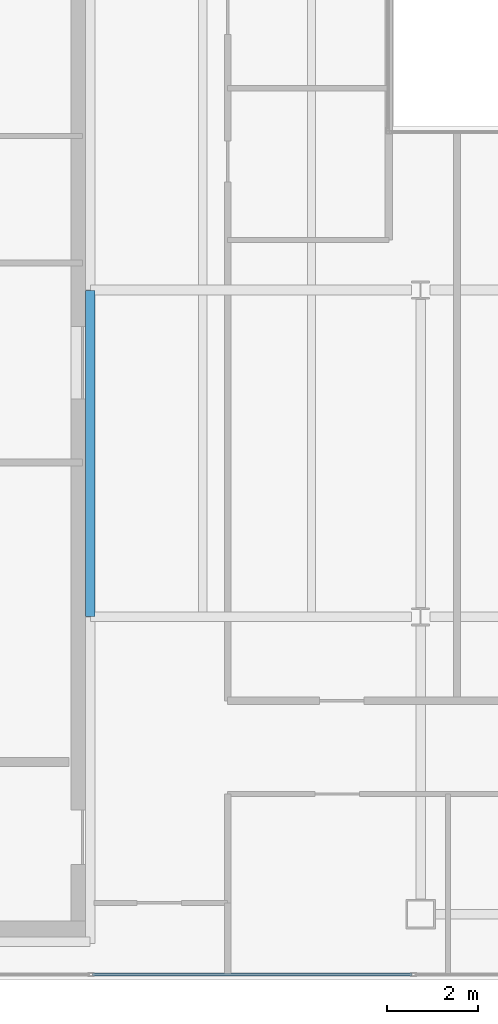
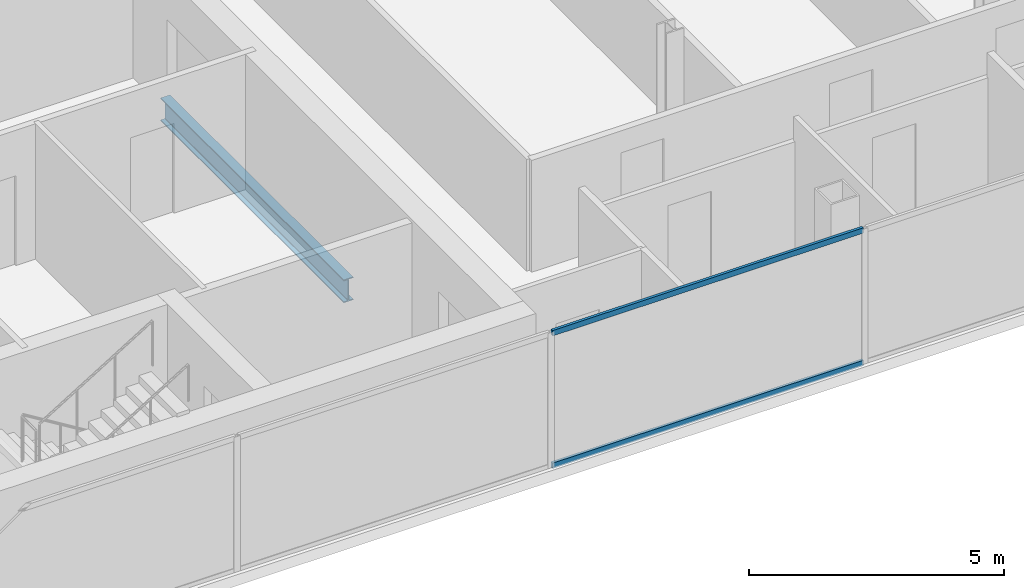
# One storey, part 4 of 24: 2 members, 1 beam, 1 element without a shape of its own.
"""IFC4 building model written with IfcOpenShell, lengths in metres."""

from ifc_helpers import new_model, si_unit, direction, frame, origin, origin_2d, place, context, subcontext, project, spatial, hollow_rectangle, i_section, extrude, material, material_profile, profile_set, type_object, element, aggregate, save


model = new_model("IFC4")

# Units and contexts
model_context = context("Model", 3, precision=1e-05, world=origin(), true_north=direction((0.0, 1.0)))
body_context = subcontext(model_context, "Body", "Model", "MODEL_VIEW")
ifc_project = project(units=[si_unit("LENGTHUNIT", "METRE"), si_unit("AREAUNIT", "SQUARE_METRE"), si_unit("VOLUMEUNIT", "CUBIC_METRE"), si_unit("PLANEANGLEUNIT", "RADIAN"), si_unit("MASSUNIT", "GRAM", prefix="KILO")], contexts=[model_context])

# Site, building, storey
site_placement = place(None, origin())
site = spatial("IfcSite", under=ifc_project, at=site_placement, CompositionType="ELEMENT")
building_placement = place(site_placement, origin())
building = spatial("IfcBuilding", under=site, at=building_placement, Name="Cobrela Telecom Tower", CompositionType="ELEMENT")
storey_placement = place(building_placement, frame((0.0, 0.0, 290.14990234375)))
storey = spatial("IfcBuildingStorey", under=building, at=storey_placement, Name="L76", CompositionType="ELEMENT", Elevation=290.14990234375)

# Beam
ifc_material_1 = material(Name="Steel ASTM A992 Grade 50", Category="steel")
ifc_material_profile_1 = material_profile(ifc_material_1, i_section(OverallWidth=0.212890625, OverallDepth=0.549072265625, WebThickness=0.0146484375, FlangeThickness=0.023681640625, FilletRadius=0.013916015625, at=origin_2d()), Name="W21X93")
ifc_profile_set_1 = profile_set([ifc_material_profile_1], Name="Steel ASTM A992 Grade 50")
beam_type = type_object("IfcBeamType", Name="BM-GIRD-08", PredefinedType="USERDEFINED", material=ifc_profile_set_1)
beam_placement = place(storey_placement, frame((14.320068359375, 14.405029296875, -0.534423828125), z_axis=(0.0, 1.0, 0.0), x_axis=(-1.0, 0.0, 0.0)))
element("IfcBeam", 1, at=beam_placement, inside=storey, type_object=beam_type, Name="L76 Primary Girder Y22", ObjectType="GIRDER", PredefinedType="USERDEFINED", context=body_context, shape_type="SweptSolid", body=[
    extrude(i_section(OverallWidth=0.212890625, OverallDepth=0.549072265625, WebThickness=0.0146484375, FlangeThickness=0.023681640625, FilletRadius=0.013916015625, at=origin_2d()), origin(), (0.0, 0.0, 1.0), 7.18994140625),
])

# Curtain wall, members
ifc_material_2 = material(Name="Anodized Bronze Aluminium 6063-T6", Category="aluminium")
curtain_wall_type = type_object("IfcCurtainWallType", Name="CW-SYS-OFF-HI", PredefinedType="USERDEFINED", material=ifc_material_2)
curtain_wall_placement = place(storey_placement, origin())
curtain_wall = element("IfcCurtainWall", 2, at=curtain_wall_placement, inside=storey, type_object=curtain_wall_type, Name="L76 Unitised Bronze Curtain Wall 15", ObjectType="UNITISED CURTAIN WALL", PredefinedType="USERDEFINED")
ifc_material_profile_2 = material_profile(ifc_material_2, hollow_rectangle(XDim=0.06494140625, YDim=0.1298828125, WallThickness=0.00390625, at=origin_2d()), Name="ALU 65x130x4")
ifc_profile_set_2 = profile_set([ifc_material_profile_2], Name="Anodized Bronze Aluminium 6063-T6")
member_type = type_object("IfcMemberType", Name="CW-SYS-OFF-HI-TRN", PredefinedType="USERDEFINED", material=ifc_profile_set_2)
member_1_placement = place(storey_placement, frame((21.409912109375, 6.52001953125, 0.03271484375), z_axis=(-1.0, 0.0, 0.0), x_axis=(0.0, -1.0, 0.0)))
member_1 = element("IfcMember", 3, at=member_1_placement, type_object=member_type, Name="CW-OFF-HI transom 4.1", ObjectType="TRANSOM", PredefinedType="USERDEFINED", context=body_context, shape_type="SweptSolid", body=[
    extrude(hollow_rectangle(XDim=0.06494140625, YDim=0.1298828125, WallThickness=0.00390625, at=origin_2d()), origin(), (0.0, 0.0, 1.0), 7.038330078125),
])
member_2_placement = place(storey_placement, frame((21.409912109375, 6.52001953125, 3.20751953125), z_axis=(-1.0, 0.0, 0.0), x_axis=(0.0, -1.0, 0.0)))
member_2 = element("IfcMember", 4, at=member_2_placement, type_object=member_type, Name="CW-OFF-HI transom 4.2", ObjectType="TRANSOM", PredefinedType="USERDEFINED", context=body_context, shape_type="SweptSolid", body=[
    extrude(hollow_rectangle(XDim=0.06494140625, YDim=0.1298828125, WallThickness=0.00390625, at=origin_2d()), origin(), (0.0, 0.0, 1.0), 7.038330078125),
])
aggregate(curtain_wall, [member_1, member_2])

save(model, "model.ifc")
